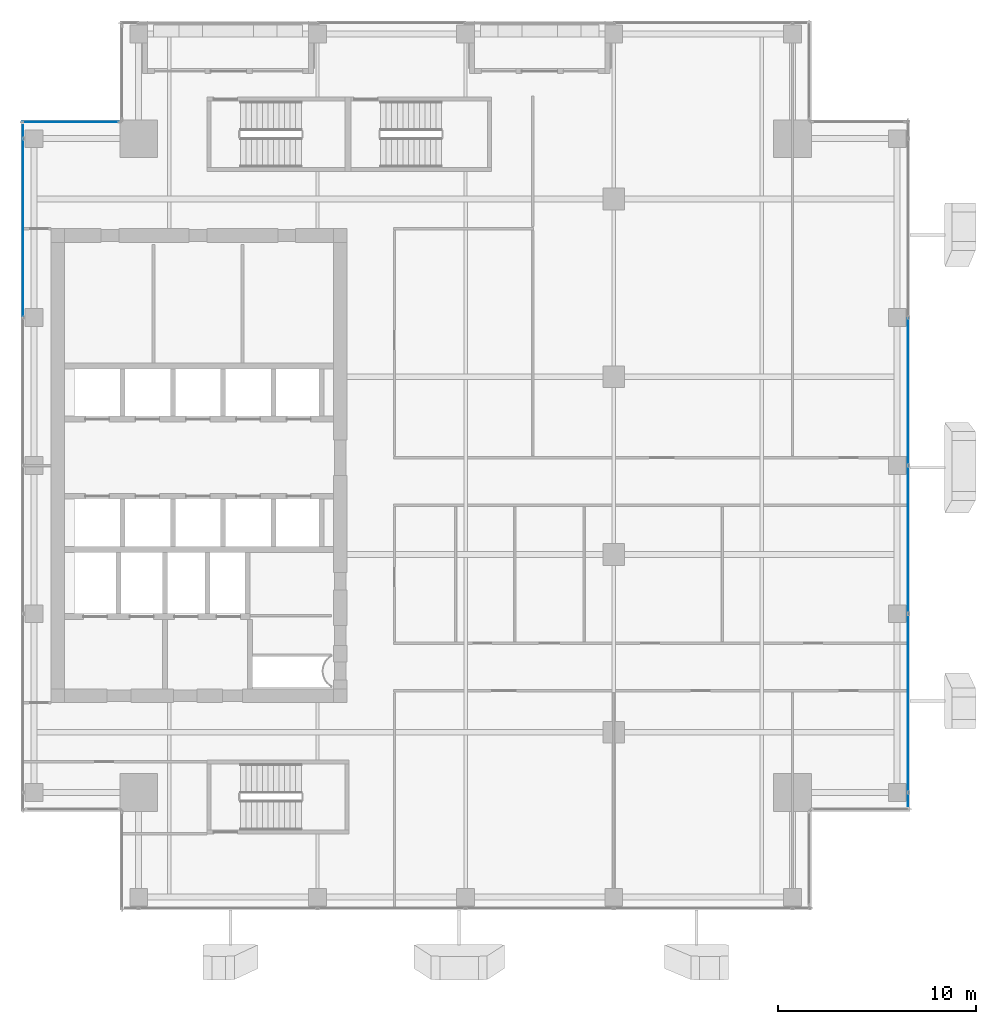
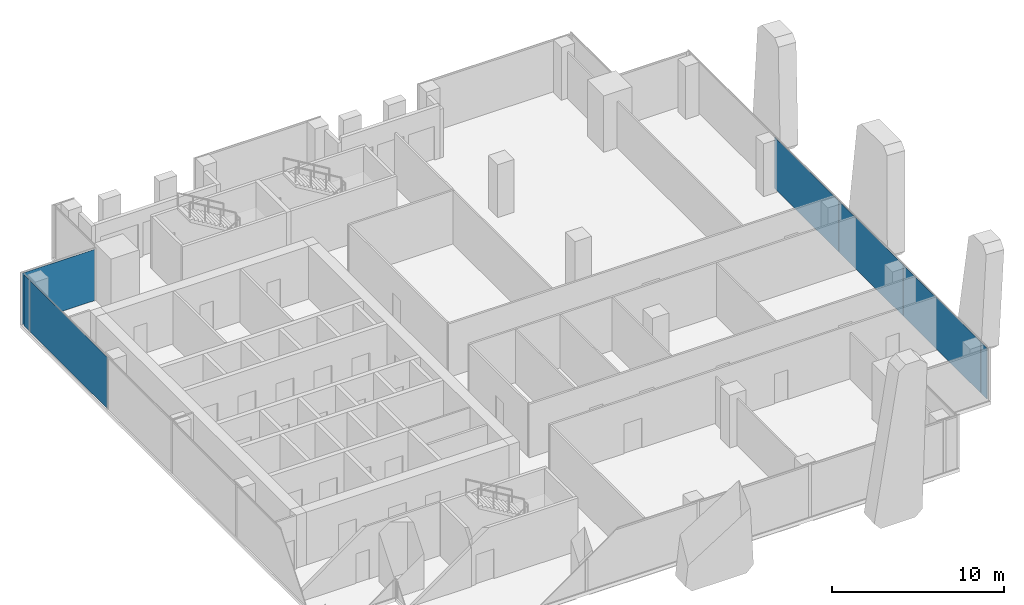
# One storey, part 28 of 36: 7 plates, 3 elements without a shape of their own.
"""IFC4 building model written with IfcOpenShell, lengths in metres."""

from ifc_helpers import new_model, si_unit, direction, frame, origin, origin_2d, place, context, subcontext, project, spatial, rectangle, extrude, source, transform, mapped, material, layer, layer_set, type_object, element, aggregate, save


model = new_model("IFC4")

# Units and contexts
model_context = context("Model", 3, precision=1e-05, world=origin(), true_north=direction((0.0, 1.0)))
body_context = subcontext(model_context, "Body", "Model", "MODEL_VIEW")
ifc_project = project(units=[si_unit("LENGTHUNIT", "METRE"), si_unit("AREAUNIT", "SQUARE_METRE"), si_unit("VOLUMEUNIT", "CUBIC_METRE"), si_unit("PLANEANGLEUNIT", "RADIAN"), si_unit("MASSUNIT", "GRAM", prefix="KILO")], contexts=[model_context])

# Site, building, storey
site_placement = place(None, origin())
site = spatial("IfcSite", under=ifc_project, at=site_placement, CompositionType="ELEMENT")
building_placement = place(site_placement, origin())
building = spatial("IfcBuilding", under=site, at=building_placement, Name="Khomas Fold Tower", CompositionType="ELEMENT")
storey_placement = place(building_placement, frame((0.0, 0.0, 238.199951171875)))
storey = spatial("IfcBuildingStorey", under=building, at=storey_placement, Name="L53", CompositionType="ELEMENT", Elevation=238.199951171875)

# Curtain wall, plate
ifc_material_1 = material(Name="Aluminium framed double glazing", Category="aluminium")
curtain_wall_type = type_object("IfcCurtainWallType", Name="SK-Unitised clear-glass wall, office floors CW2", PredefinedType="NOTDEFINED", material=ifc_material_1)
curtain_wall_1_placement = place(storey_placement, origin())
curtain_wall_1 = element("IfcCurtainWall", 1, at=curtain_wall_1_placement, inside=storey, type_object=curtain_wall_type, Name="CW2 run L53 03-0", PredefinedType="NOTDEFINED")
ifc_material_2 = material(Name="Clear double glazed unit")
ifc_layer = layer(ifc_material_2, 0.030029296875)
ifc_layer_set = layer_set([ifc_layer], Name="Clear double glazed unit")
plate_type = type_object("IfcPlateType", Name="SK-Unitised clear-glass wall, office floors glass panel CW2-P", PredefinedType="CURTAIN_PANEL", material=ifc_layer_set)
shared_shape_1 = source(origin(), body_context, "Body", "SweptSolid", [
    extrude(rectangle(XDim=0.659912109375, YDim=0.030029296875, at=origin_2d()), origin(), (0.0, 0.0, 1.0), 3.639892578125),
])
plate_1_placement = place(storey_placement, frame((49.39990234375, 10.090087890625, 0.0), z_axis=(0.0, 0.0, 1.0), x_axis=(0.0, 1.0, 0.0)))
plate_1 = element("IfcPlate", 2, at=plate_1_placement, type_object=plate_type, Name="CW2 glass panel 1", PredefinedType="CURTAIN_PANEL", context=body_context, shape_type="MappedRepresentation", body=[
    mapped(shared_shape_1, transform((0.0, 0.0, 0.0))),
])

curtain_wall_2_placement = place(storey_placement, origin())
curtain_wall_2 = element("IfcCurtainWall", 3, at=curtain_wall_2_placement, inside=storey, type_object=curtain_wall_type, Name="CW2 run L53 09-0", PredefinedType="NOTDEFINED")
plate_2_placement = place(storey_placement, frame((4.60009765625, 43.909912109375, 0.0), z_axis=(0.0, 0.0, 1.0), x_axis=(0.0, -1.0, 0.0)))
plate_2 = element("IfcPlate", 4, at=plate_2_placement, type_object=plate_type, Name="CW2 glass panel 1", PredefinedType="CURTAIN_PANEL", context=body_context, shape_type="MappedRepresentation", body=[
    mapped(shared_shape_1, transform((0.0, 0.0, 0.0))),
])

# Plate
shared_shape_2 = source(origin(), body_context, "Body", "SweptSolid", [
    extrude(rectangle(XDim=7.43994140625, YDim=0.030029296875, at=origin_2d()), origin(), (0.0, 0.0, 1.0), 3.639892578125),
])
plate_3_placement = place(storey_placement, frame((49.39990234375, 23.25, 0.0), z_axis=(0.0, 0.0, 1.0), x_axis=(0.0, 1.0, 0.0)))
plate_3 = element("IfcPlate", 5, at=plate_3_placement, type_object=plate_type, Name="CW2 glass panel 3", PredefinedType="CURTAIN_PANEL", context=body_context, shape_type="MappedRepresentation", body=[
    mapped(shared_shape_2, transform((0.0, 0.0, 0.0))),
])

plate_4_placement = place(storey_placement, frame((49.39990234375, 30.75, 0.0), z_axis=(0.0, 0.0, 1.0), x_axis=(0.0, 1.0, 0.0)))
plate_4 = element("IfcPlate", 6, at=plate_4_placement, type_object=plate_type, Name="CW2 glass panel 4", PredefinedType="CURTAIN_PANEL", context=body_context, shape_type="MappedRepresentation", body=[
    mapped(shared_shape_2, transform((0.0, 0.0, 0.0))),
])

shared_shape_3 = source(origin(), body_context, "Body", "SweptSolid", [
    extrude(rectangle(XDim=8.989990234375, YDim=0.030029296875, at=origin_2d()), origin(), (0.0, 0.0, 1.0), 3.639892578125),
])
plate_5_placement = place(storey_placement, frame((49.39990234375, 14.97509765625, 0.0), z_axis=(0.0, 0.0, 1.0), x_axis=(0.0, 1.0, 0.0)))
plate_5 = element("IfcPlate", 7, at=plate_5_placement, type_object=plate_type, Name="CW2 glass panel 2", PredefinedType="CURTAIN_PANEL", context=body_context, shape_type="MappedRepresentation", body=[
    mapped(shared_shape_3, transform((0.0, 0.0, 0.0))),
])

aggregate(curtain_wall_1, [plate_1, plate_5, plate_3, plate_4])

plate_6_placement = place(storey_placement, frame((4.60009765625, 39.02490234375, 0.0), z_axis=(0.0, 0.0, 1.0), x_axis=(0.0, -1.0, 0.0)))
plate_6 = element("IfcPlate", 8, at=plate_6_placement, type_object=plate_type, Name="CW2 glass panel 2", PredefinedType="CURTAIN_PANEL", context=body_context, shape_type="MappedRepresentation", body=[
    mapped(shared_shape_3, transform((0.0, 0.0, 0.0))),
])

aggregate(curtain_wall_2, [plate_2, plate_6])

# Curtain wall, plate
curtain_wall_3_placement = place(storey_placement, origin())
curtain_wall_3 = element("IfcCurtainWall", 9, at=curtain_wall_3_placement, inside=storey, type_object=curtain_wall_type, Name="CW2 corner return L53 08", PredefinedType="NOTDEFINED")
shared_shape_4 = source(origin(), body_context, "Body", "SweptSolid", [
    extrude(rectangle(XDim=4.8798828125, YDim=0.030029296875, at=origin_2d()), origin(), (0.0, 0.0, 1.0), 3.639892578125),
])
plate_7_placement = place(storey_placement, frame((7.0, 44.39990234375, 0.0), z_axis=(0.0, 0.0, 1.0), x_axis=(-1.0, 0.0, 0.0)))
plate_7 = element("IfcPlate", 10, at=plate_7_placement, type_object=plate_type, Name="CW2 glass panel 1", PredefinedType="CURTAIN_PANEL", context=body_context, shape_type="MappedRepresentation", body=[
    mapped(shared_shape_4, transform((0.0, 0.0, 0.0))),
])
aggregate(curtain_wall_3, [plate_7])

save(model, "model.ifc")
